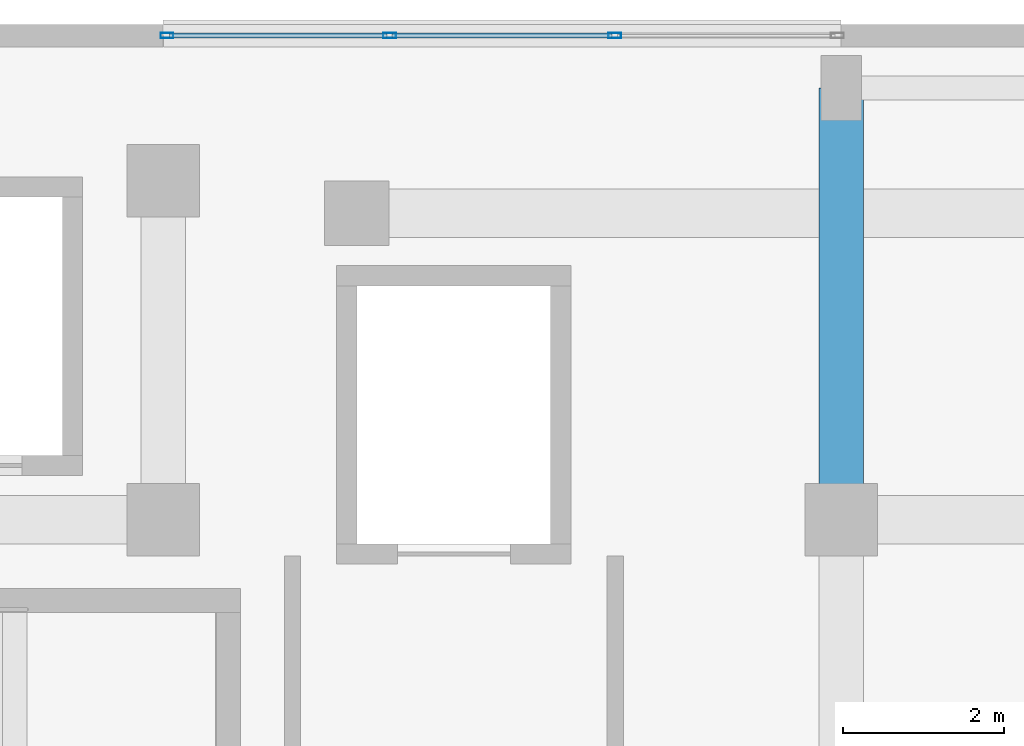
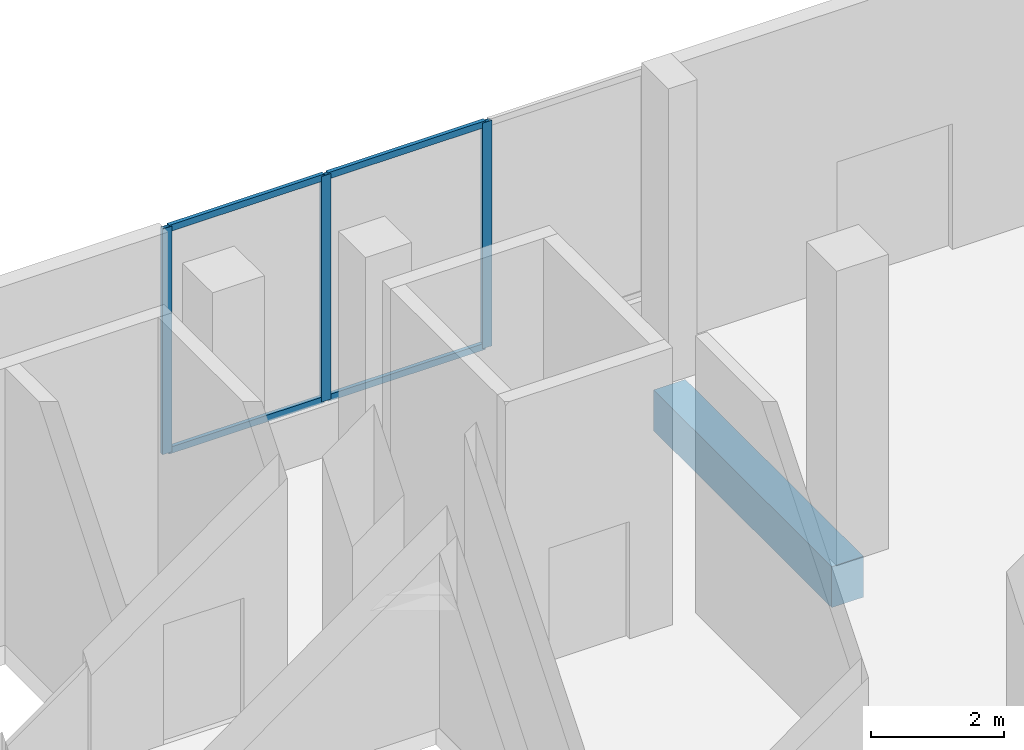
# One storey, part 79 of 158: 7 members, 1 beam, 1 element without a shape of its own.
"""IFC4 building model written with IfcOpenShell, lengths in metres."""

from ifc_helpers import new_model, si_unit, direction, frame, origin, origin_2d, place, context, subcontext, project, spatial, rectangle, hollow_rectangle, extrude, material, material_profile, profile_set, type_object, element, aggregate, save


model = new_model("IFC4")

# Units and contexts
model_context = context("Model", 3, precision=1e-05, world=origin(), true_north=direction((0.0, 1.0)))
body_context = subcontext(model_context, "Body", "Model", "MODEL_VIEW")
ifc_project = project(units=[si_unit("LENGTHUNIT", "METRE"), si_unit("AREAUNIT", "SQUARE_METRE"), si_unit("VOLUMEUNIT", "CUBIC_METRE"), si_unit("PLANEANGLEUNIT", "RADIAN"), si_unit("MASSUNIT", "GRAM", prefix="KILO")], contexts=[model_context])

# Site, building, storey
site_placement = place(None, origin())
site = spatial("IfcSite", under=ifc_project, at=site_placement, CompositionType="ELEMENT")
building_placement = place(site_placement, origin())
building = spatial("IfcBuilding", under=site, at=building_placement, Name="Selatvlak General Hospital", CompositionType="ELEMENT")
storey_placement = place(building_placement, origin())
storey = spatial("IfcBuildingStorey", under=building, at=storey_placement, Name="L00", CompositionType="ELEMENT", Elevation=0.0)

# Beam
ifc_material_1 = material(Name="Concrete C40/50", Category="concrete")
ifc_material_profile_1 = material_profile(ifc_material_1, rectangle(XDim=0.550048828125, YDim=0.75, at=origin_2d()), Name="RC-BM 550x750")
ifc_profile_set_1 = profile_set([ifc_material_profile_1], Name="Concrete C40/50")
beam_type = type_object("IfcBeamType", Name="BM-G02", PredefinedType="BEAM", material=ifc_profile_set_1)
beam_placement = place(storey_placement, frame((64.800048828125, 114.0, -0.72509765625), z_axis=(0.0, 1.0, 0.0), x_axis=(-1.0, 0.0, 0.0)))
element("IfcBeam", 1, at=beam_placement, inside=storey, type_object=beam_type, Name="Beam BMR-L00-0203", PredefinedType="BEAM", context=body_context, shape_type="SweptSolid", body=[
    extrude(rectangle(XDim=0.550048828125, YDim=0.75, at=origin_2d()), origin(), (0.0, 0.0, 1.0), 5.35009765625),
])

# Curtain wall, members
ifc_material_2 = material(Name="Solar-control Low-E double glazing", Category="glass")
curtain_wall_type = type_object("IfcCurtainWallType", Name="CW-CW-01", PredefinedType="USERDEFINED", material=ifc_material_2)
curtain_wall_placement = place(storey_placement, origin())
curtain_wall = element("IfcCurtainWall", 2, at=curtain_wall_placement, inside=storey, type_object=curtain_wall_type, Name="Glazed facade curtain wall CW-L00-0005", ObjectType="UNITISED CURTAIN WALL", PredefinedType="USERDEFINED")
ifc_material_3 = material(Name="Dark anodised aluminium mullion", Category="aluminium")
ifc_material_profile_2 = material_profile(ifc_material_3, hollow_rectangle(XDim=0.06494140625, YDim=0.159912109375, WallThickness=0.00390625, at=origin_2d()), Name="AL-MUL 65x160x4")
ifc_profile_set_2 = profile_set([ifc_material_profile_2], Name="Dark anodised aluminium mullion")
member_type_1 = type_object("IfcMemberType", Name="CWM-01", PredefinedType="MULLION", material=ifc_profile_set_2)
member_1_placement = place(storey_placement, frame((56.447509765625, 119.9990234375, 0.93994140625), z_axis=(0.0, 0.0, 1.0), x_axis=(0.0, 1.0, 0.0)))
member_1 = element("IfcMember", 3, at=member_1_placement, type_object=member_type_1, Name="CW-01 mullion 1", PredefinedType="MULLION", context=body_context, shape_type="SweptSolid", body=[
    extrude(hollow_rectangle(XDim=0.06494140625, YDim=0.159912109375, WallThickness=0.00390625, at=origin_2d()), origin(), (0.0, 0.0, 1.0), 4.14013671875),
])
member_2_placement = place(storey_placement, frame((59.205078125, 119.9990234375, 0.93994140625), z_axis=(0.0, 0.0, 1.0), x_axis=(0.0, 1.0, 0.0)))
member_2 = element("IfcMember", 4, at=member_2_placement, type_object=member_type_1, Name="CW-01 mullion 2", PredefinedType="MULLION", context=body_context, shape_type="SweptSolid", body=[
    extrude(hollow_rectangle(XDim=0.06494140625, YDim=0.159912109375, WallThickness=0.00390625, at=origin_2d()), origin(), (0.0, 0.0, 1.0), 4.14013671875),
])
member_3_placement = place(storey_placement, frame((61.9951171875, 119.9990234375, 0.93994140625), z_axis=(0.0, 0.0, 1.0), x_axis=(0.0, 1.0, 0.0)))
member_3 = element("IfcMember", 5, at=member_3_placement, type_object=member_type_1, Name="CW-01 mullion 3", PredefinedType="MULLION", context=body_context, shape_type="SweptSolid", body=[
    extrude(hollow_rectangle(XDim=0.06494140625, YDim=0.159912109375, WallThickness=0.00390625, at=origin_2d()), origin(), (0.0, 0.0, 1.0), 4.14013671875),
])
ifc_material_profile_3 = material_profile(ifc_material_3, hollow_rectangle(XDim=0.06494140625, YDim=0.1201171875, WallThickness=0.00390625, at=origin_2d()), Name="AL-TRN 65x120x4")
ifc_profile_set_3 = profile_set([ifc_material_profile_3], Name="Dark anodised aluminium mullion")
member_type_2 = type_object("IfcMemberType", Name="CWT-01", PredefinedType="USERDEFINED", material=ifc_profile_set_3)
member_4_placement = place(storey_placement, frame((56.47998046875, 119.9990234375, 0.972412109375), z_axis=(1.0, 0.0, 0.0), x_axis=(0.0, 1.0, 0.0)))
member_4 = element("IfcMember", 6, at=member_4_placement, type_object=member_type_2, Name="CW-01 transom 1.1", ObjectType="TRANSOM", PredefinedType="USERDEFINED", context=body_context, shape_type="SweptSolid", body=[
    extrude(hollow_rectangle(XDim=0.06494140625, YDim=0.1201171875, WallThickness=0.00390625, at=origin_2d()), origin(), (0.0, 0.0, 1.0), 2.692626953125),
])
member_5_placement = place(storey_placement, frame((56.47998046875, 119.9990234375, 5.047607421875), z_axis=(1.0, 0.0, 0.0), x_axis=(0.0, 1.0, 0.0)))
member_5 = element("IfcMember", 7, at=member_5_placement, type_object=member_type_2, Name="CW-01 transom 1.2", ObjectType="TRANSOM", PredefinedType="USERDEFINED", context=body_context, shape_type="SweptSolid", body=[
    extrude(hollow_rectangle(XDim=0.06494140625, YDim=0.1201171875, WallThickness=0.00390625, at=origin_2d()), origin(), (0.0, 0.0, 1.0), 2.692626953125),
])
member_6_placement = place(storey_placement, frame((59.237548828125, 119.9990234375, 0.972412109375), z_axis=(1.0, 0.0, 0.0), x_axis=(0.0, 1.0, 0.0)))
member_6 = element("IfcMember", 8, at=member_6_placement, type_object=member_type_2, Name="CW-01 transom 2.1", ObjectType="TRANSOM", PredefinedType="USERDEFINED", context=body_context, shape_type="SweptSolid", body=[
    extrude(hollow_rectangle(XDim=0.06494140625, YDim=0.1201171875, WallThickness=0.00390625, at=origin_2d()), origin(), (0.0, 0.0, 1.0), 2.724853515625),
])
member_7_placement = place(storey_placement, frame((59.237548828125, 119.9990234375, 5.047607421875), z_axis=(1.0, 0.0, 0.0), x_axis=(0.0, 1.0, 0.0)))
member_7 = element("IfcMember", 9, at=member_7_placement, type_object=member_type_2, Name="CW-01 transom 2.2", ObjectType="TRANSOM", PredefinedType="USERDEFINED", context=body_context, shape_type="SweptSolid", body=[
    extrude(hollow_rectangle(XDim=0.06494140625, YDim=0.1201171875, WallThickness=0.00390625, at=origin_2d()), origin(), (0.0, 0.0, 1.0), 2.724853515625),
])
aggregate(curtain_wall, [member_1, member_2, member_3, member_4, member_5, member_6, member_7])

save(model, "model.ifc")
